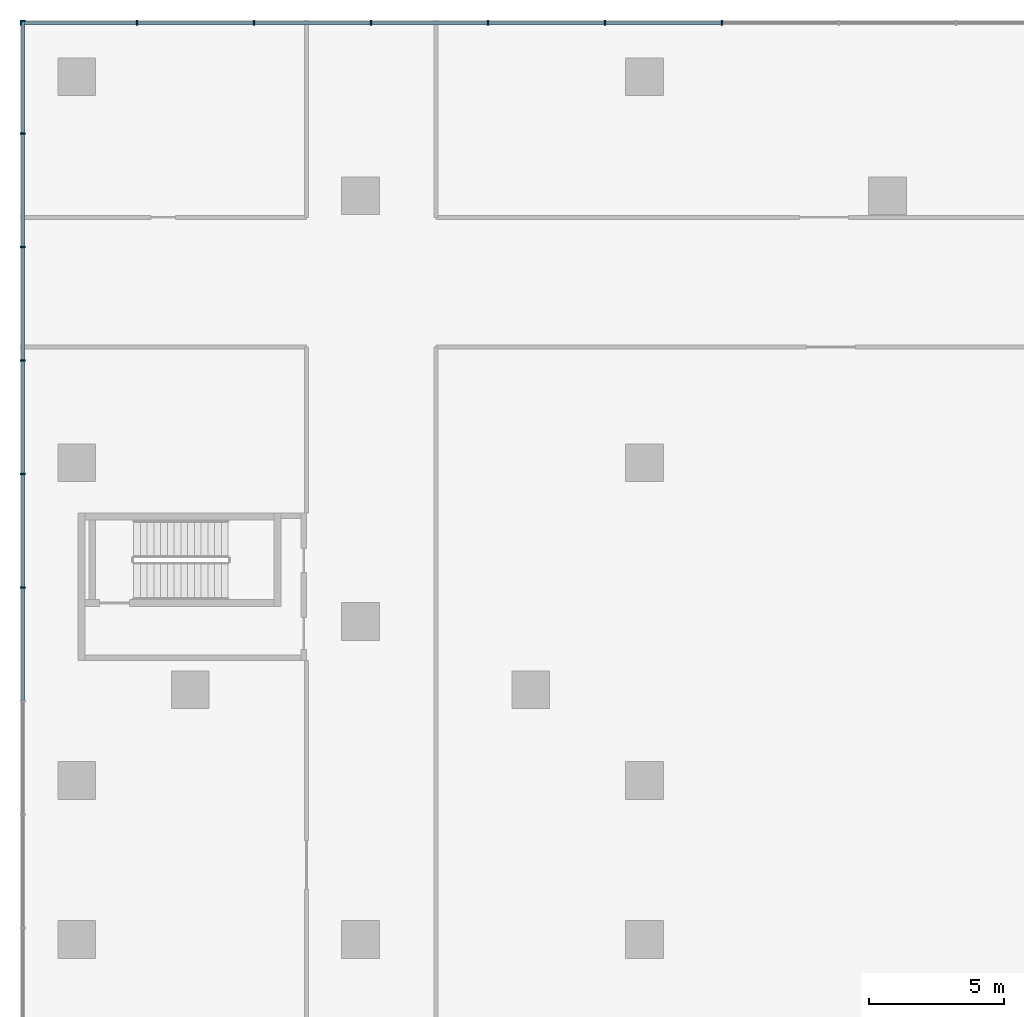
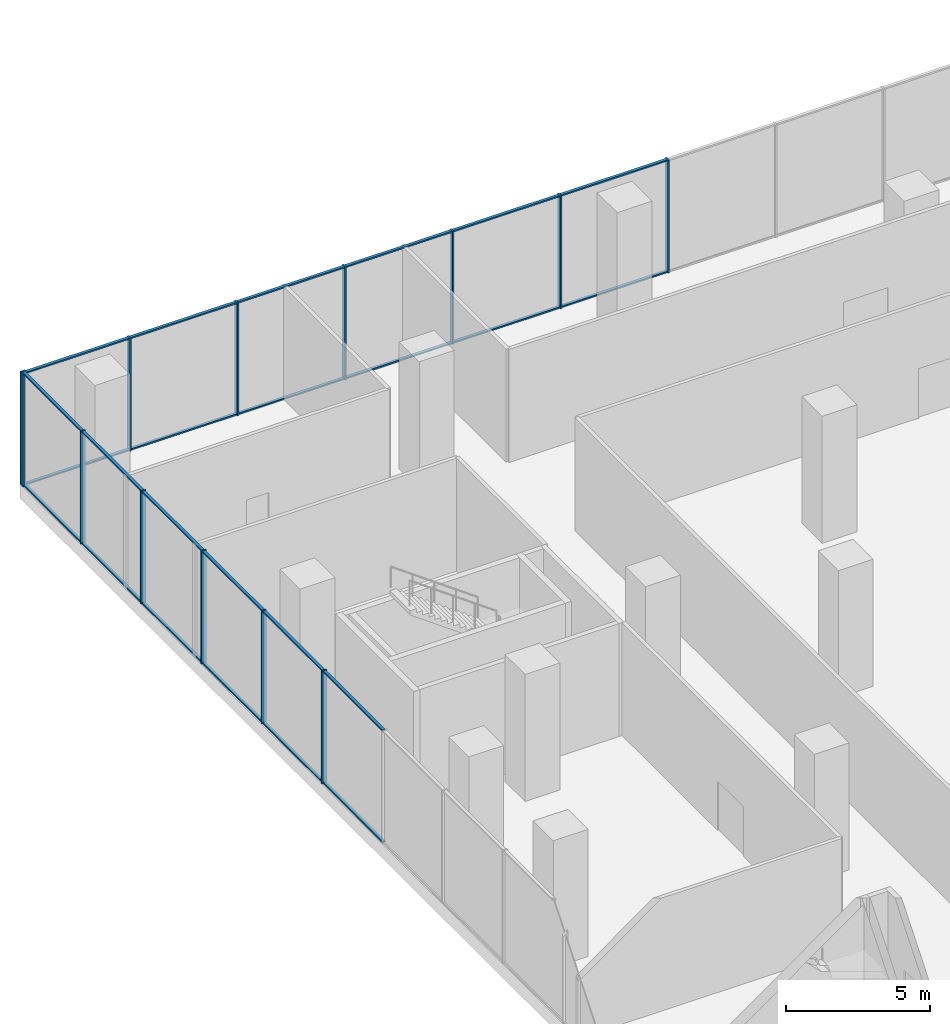
# One storey, part 9 of 22: 37 members, 2 elements without a shape of their own.
"""IFC4 building model written with IfcOpenShell, lengths in metres."""

import ifcopenshell
import ifcopenshell.guid

model = None  # the IFC model being written
_history = None  # IfcOwnerHistory: only IFC2X3 demands one
_inside = {}  # id of a spatial element -> (the spatial element, [elements in it])
_under = {}  # id of a project, library or spatial element -> (it, [spatial elements below it])
_declared = {}  # id of a project -> (the project, [libraries it declares])
_typed = {}  # id of a type object -> (the type object, [elements of that type])
_made_of = {}  # id of a material, layer set ... -> (it, [elements and type objects made of it])


def new_model(schema):
    """Start an empty IFC model of exactly this schema.

    Asked for "IFC4X3", IfcOpenShell would pick the latest addendum, in which some entities
    have other attributes; the version numbers below select the first issue.
    IFC2X3 requires an IfcOwnerHistory on every rooted entity: one is made here for all.
    """
    global model, _history
    if schema == "IFC4X3":
        model = ifcopenshell.file(schema_version=(4, 3, 0, 0))
    else:
        model = ifcopenshell.file(schema=schema)
    _inside.clear()
    _under.clear()
    _declared.clear()
    _typed.clear()
    _made_of.clear()
    _history = None
    if model.schema == "IFC2X3":
        org = make("IfcOrganization", Name="unknown")
        user = make(
            "IfcPersonAndOrganization",
            ThePerson=make("IfcPerson", FamilyName="unknown"),
            TheOrganization=org,
        )
        app = make(
            "IfcApplication",
            ApplicationDeveloper=org,
            Version="unknown",
            ApplicationFullName="unknown",
            ApplicationIdentifier="unknown",
        )
        _history = make(
            "IfcOwnerHistory",
            OwningUser=user,
            OwningApplication=app,
            ChangeAction="ADDED",
            CreationDate=0,
        )
    return model


def make(cls, **values):
    """One entity of the class cls with the attributes given. An attribute that is None is left unset."""
    return model.create_entity(
        cls, **{name: value for name, value in values.items() if value is not None}
    )


def rooted(cls, **values):
    """An entity with a GlobalId (a new one), such as an element, a storey or a relation."""
    return make(cls, GlobalId=ifcopenshell.guid.new(), OwnerHistory=_history, **values)


def si_unit(unit_type, name, prefix=None):
    """IfcSIUnit, for example si_unit("LENGTHUNIT", "METRE", prefix="MILLI")."""
    return make("IfcSIUnit", UnitType=unit_type, Prefix=prefix, Name=name)


def assignment(units):
    """IfcUnitAssignment: the units of a project."""
    return None if units is None else make("IfcUnitAssignment", Units=units)


def point(xyz):
    """IfcCartesianPoint."""
    return None if xyz is None else make("IfcCartesianPoint", Coordinates=xyz)


def direction(xyz):
    """IfcDirection."""
    return None if xyz is None else make("IfcDirection", DirectionRatios=xyz)


def frame(location, z_axis=None, x_axis=None):
    """IfcAxis2Placement3D, a coordinate frame: its origin and axes. An axis left out is left unset."""
    return make(
        "IfcAxis2Placement3D",
        Location=point(location),
        Axis=direction(z_axis),
        RefDirection=direction(x_axis),
    )


def frame_2d(location, x_axis=None):
    """IfcAxis2Placement2D, a coordinate frame in the plane: its origin and x axis."""
    return make(
        "IfcAxis2Placement2D", Location=point(location), RefDirection=direction(x_axis)
    )


def origin():
    """The frame at (0, 0, 0) with its axes left unset."""
    return frame((0.0, 0.0, 0.0))


def origin_2d():
    """The frame at (0, 0) in the plane with its x axis left unset."""
    return frame_2d((0.0, 0.0))


def place(relative_to, where):
    """IfcLocalPlacement: puts the frame where relative to a parent placement (None: the world)."""
    return make(
        "IfcLocalPlacement", PlacementRelTo=relative_to, RelativePlacement=where
    )


def context(
    kind, dimensions, precision=None, world=None, true_north=None, identifier=None
):
    """IfcGeometricRepresentationContext, for example the 3D "Model" context."""
    return make(
        "IfcGeometricRepresentationContext",
        ContextIdentifier=identifier,
        ContextType=kind,
        CoordinateSpaceDimension=dimensions,
        Precision=precision,
        WorldCoordinateSystem=world,
        TrueNorth=true_north,
    )


def subcontext(parent, identifier, kind, view, scale=None):
    """IfcGeometricRepresentationSubContext, for example "Body" below "Model"."""
    return make(
        "IfcGeometricRepresentationSubContext",
        ContextIdentifier=identifier,
        ContextType=kind,
        ParentContext=parent,
        TargetScale=scale,
        TargetView=view,
    )


def project(units=None, contexts=None):
    """IfcProject with its units and contexts."""
    return rooted(
        "IfcProject",
        Name="project",
        RepresentationContexts=contexts,
        UnitsInContext=assignment(units),
    )


def spatial(cls, under=None, at=None, **own):
    """A site, building, storey or space (cls), placed at a placement, below another one or the project."""
    s = rooted(cls, ObjectPlacement=at, **own)
    if under is not None:
        _under.setdefault(under.id(), (under, []))[1].append(s)
    return s


def profile(cls, at=None, kind="AREA", **sizes):
    """A parametric profile (cls). Its sizes go by their IFC names, for example OverallWidth=200.0."""
    return make(cls, ProfileType=kind, Position=at, **sizes)


def rectangle(**sizes):
    """IfcRectangleProfileDef."""
    return profile("IfcRectangleProfileDef", **sizes)


def extrude(swept, where, along, depth):
    """IfcExtrudedAreaSolid: the profile swept, set in the frame where, extruded along a direction by depth."""
    return make(
        "IfcExtrudedAreaSolid",
        SweptArea=swept,
        Position=where,
        ExtrudedDirection=direction(along),
        Depth=depth,
    )


def shape(context_of_items, identifier, shape_type, items):
    """IfcShapeRepresentation: the items that make up one representation, for example the "Body"."""
    return make(
        "IfcShapeRepresentation",
        ContextOfItems=context_of_items,
        RepresentationIdentifier=identifier,
        RepresentationType=shape_type,
        Items=items,
    )


def source(mapping_origin, context_of_items, identifier, shape_type, items):
    """IfcRepresentationMap: a shape defined once, which mapped items show again and again."""
    return make(
        "IfcRepresentationMap",
        MappingOrigin=mapping_origin,
        MappedRepresentation=shape(context_of_items, identifier, shape_type, items),
    )


def transform(
    local_origin,
    x_axis=None,
    y_axis=None,
    z_axis=None,
    scale=None,
    scale2=None,
    scale3=None,
    uniform=True,
):
    """IfcCartesianTransformationOperator3D, or its non-uniform kind. x_axis, y_axis, z_axis: its Axis1, 2, 3."""
    if uniform:
        return make(
            "IfcCartesianTransformationOperator3D",
            Axis1=direction(x_axis),
            Axis2=direction(y_axis),
            LocalOrigin=point(local_origin),
            Scale=scale,
            Axis3=direction(z_axis),
        )
    return make(
        "IfcCartesianTransformationOperator3DnonUniform",
        Axis1=direction(x_axis),
        Axis2=direction(y_axis),
        LocalOrigin=point(local_origin),
        Scale=scale,
        Axis3=direction(z_axis),
        Scale2=scale2,
        Scale3=scale3,
    )


def mapped(mapping_source, mapping_target):
    """IfcMappedItem: shows the shape of a source again, moved by a transform."""
    return make(
        "IfcMappedItem", MappingSource=mapping_source, MappingTarget=mapping_target
    )


def material(Name=None, Category=None):
    """IfcMaterial."""
    return make("IfcMaterial", Name=Name, Category=Category)


def layer(
    of_material, thickness, ventilated=None, Name=None, Category=None, Priority=None
):
    """IfcMaterialLayer: one layer of a wall or slab, of a material (None: an air gap)."""
    return make(
        "IfcMaterialLayer",
        Material=of_material,
        LayerThickness=thickness,
        IsVentilated=ventilated,
        Name=Name,
        Category=Category,
        Priority=Priority,
    )


def layer_set(layers, Name=None):
    """IfcMaterialLayerSet."""
    return make("IfcMaterialLayerSet", MaterialLayers=layers, LayerSetName=Name)


def material_profile(
    of_material, cross_section, Name=None, Category=None, Priority=None
):
    """IfcMaterialProfile: a cross section and its material."""
    return make(
        "IfcMaterialProfile",
        Name=Name,
        Material=of_material,
        Profile=cross_section,
        Priority=Priority,
        Category=Category,
    )


def profile_set(profiles, Name=None, composite=None):
    """IfcMaterialProfileSet."""
    return make(
        "IfcMaterialProfileSet",
        Name=Name,
        MaterialProfiles=profiles,
        CompositeProfile=composite,
    )


def made_of(thing, what):
    """Note that an element or type object is made of a material, layer set ...; save() writes the relation."""
    if what is not None:
        _made_of.setdefault(what.id(), (what, []))[1].append(thing)
    return thing


def type_object(cls, material=None, **own):
    """A type object (cls), such as IfcWallType, which elements share."""
    return made_of(rooted(cls, **own), material)


def element(
    cls,
    number,
    at=None,
    inside=None,
    cuts=None,
    type_object=None,
    material=None,
    context=None,
    identifier="Body",
    shape_type=None,
    held_by="IfcProductDefinitionShape",
    body=None,
    shapes=None,
    **own,
):
    """One element of the class cls, such as IfcWall. Its Tag is "e" and its number.

    at: its placement. inside: the storey or other place that contains it. cuts: it is an
    opening in that element (IfcRelVoidsElement). A single representation is given by context,
    identifier, shape_type and body (its items); several are given by shapes. held_by: the class
    of the entity that holds the representations. save() writes the other relations.
    """
    e = rooted(cls, Tag="e%d" % number, ObjectPlacement=at, **own)
    if body is not None:
        shapes = [shape(context, identifier, shape_type, body)]
    if shapes is not None:
        e.Representation = make(held_by, Representations=shapes)
    if inside is not None:
        _inside.setdefault(inside.id(), (inside, []))[1].append(e)
    if cuts is not None:
        rooted(
            "IfcRelVoidsElement", RelatingBuildingElement=cuts, RelatedOpeningElement=e
        )
    if type_object is not None:
        _typed.setdefault(type_object.id(), (type_object, []))[1].append(e)
    return made_of(e, material)


def aggregate(whole, parts):
    """IfcRelAggregates: a whole, such as a stair, and the parts it consists of."""
    return rooted("IfcRelAggregates", RelatingObject=whole, RelatedObjects=parts)


def save(model, path):
    """Write the relations noted so far, then the file.

    IfcRelAggregates (storeys below a building ...), IfcRelContainedInSpatialStructure (elements
    in a storey), IfcRelDefinesByType, IfcRelAssociatesMaterial and IfcRelDeclares: one each for
    every whole, place, type object, material and project.
    """
    for whole, parts in _under.values():
        aggregate(whole, parts)
    for where, things in _inside.values():
        rooted(
            "IfcRelContainedInSpatialStructure",
            RelatedElements=things,
            RelatingStructure=where,
        )
    for kind, things in _typed.values():
        rooted("IfcRelDefinesByType", RelatedObjects=things, RelatingType=kind)
    for what, things in _made_of.values():
        rooted("IfcRelAssociatesMaterial", RelatedObjects=things, RelatingMaterial=what)
    for by, libraries in _declared.values():
        rooted("IfcRelDeclares", RelatingContext=by, RelatedDefinitions=libraries)
    model.write(path)


model = new_model("IFC4")

# Units and contexts
model_context = context("Model", 3, precision=1e-05, world=origin(), true_north=direction((0.0, 1.0)))
body_context = subcontext(model_context, "Body", "Model", "MODEL_VIEW")
ifc_project = project(units=[si_unit("LENGTHUNIT", "METRE"), si_unit("AREAUNIT", "SQUARE_METRE"), si_unit("VOLUMEUNIT", "CUBIC_METRE"), si_unit("PLANEANGLEUNIT", "RADIAN"), si_unit("MASSUNIT", "GRAM", prefix="KILO")], contexts=[model_context])

# Site, building, storey
site_placement = place(None, origin())
site = spatial("IfcSite", under=ifc_project, at=site_placement, CompositionType="ELEMENT")
building_placement = place(site_placement, origin())
building = spatial("IfcBuilding", under=site, at=building_placement, Name="Aurelian Terraces", CompositionType="ELEMENT")
storey_placement = place(building_placement, frame((0.0, 0.0, 7.5)))
storey = spatial("IfcBuildingStorey", under=building, at=storey_placement, Name="L01", CompositionType="ELEMENT", Elevation=7.5)

# Curtain wall, members
ifc_material_1 = material(Name="Anodised aluminium and clear glazing", Category="aluminium")
ifc_layer = layer(ifc_material_1, 0.2)
ifc_layer_set = layer_set([ifc_layer], Name="Podium shopfront curtain wall")
curtain_wall_type = type_object("IfcCurtainWallType", Name="Podium shopfront curtain wall", PredefinedType="NOTDEFINED", material=ifc_layer_set)
curtain_wall_1_placement = place(storey_placement, origin())
curtain_wall_1 = element("IfcCurtainWall", 1, at=curtain_wall_1_placement, inside=storey, type_object=curtain_wall_type, Name="Podium shopfront L01 F05.1", PredefinedType="NOTDEFINED")
ifc_material_2 = material(Name="Anodised aluminium", Category="aluminium")
ifc_material_profile_1 = material_profile(ifc_material_2, rectangle(XDim=0.2, YDim=0.06, at=origin_2d()))
ifc_profile_set_1 = profile_set([ifc_material_profile_1], Name="Anodised aluminium")
member_type_1 = type_object("IfcMemberType", Name="Podium shopfront mullion", PredefinedType="MULLION", material=ifc_profile_set_1)
shared_shape_1 = source(origin(), body_context, "Body", "SweptSolid", [
    extrude(rectangle(XDim=0.2, YDim=0.06, at=origin_2d()), origin(), (0.0, 0.0, 1.0), 4.8),
])
member_1_placement = place(storey_placement, frame((23.8754, 86.0, 0.0), z_axis=(0.0, 0.0, 1.0), x_axis=(0.0, -1.0, 0.0)))
member_1 = element("IfcMember", 2, at=member_1_placement, type_object=member_type_1, Name="CW1 mullion 8", PredefinedType="MULLION", context=body_context, shape_type="MappedRepresentation", body=[
    mapped(shared_shape_1, transform((0.0, 0.0, 0.0), scale=1.0)),
])
member_2_placement = place(storey_placement, frame((19.5462, 86.0, 0.0), z_axis=(0.0, 0.0, 1.0), x_axis=(0.0, -1.0, 0.0)))
member_2 = element("IfcMember", 3, at=member_2_placement, type_object=member_type_1, Name="CW1 mullion 9", PredefinedType="MULLION", context=body_context, shape_type="MappedRepresentation", body=[
    mapped(shared_shape_1, transform((0.0, 0.0, 0.0), scale=1.0)),
])
member_3_placement = place(storey_placement, frame((15.2169, 86.0, 0.0), z_axis=(0.0, 0.0, 1.0), x_axis=(0.0, -1.0, 0.0)))
member_3 = element("IfcMember", 4, at=member_3_placement, type_object=member_type_1, Name="CW1 mullion 10", PredefinedType="MULLION", context=body_context, shape_type="MappedRepresentation", body=[
    mapped(shared_shape_1, transform((0.0, 0.0, 0.0), scale=1.0)),
])
member_4_placement = place(storey_placement, frame((10.8877, 86.0, 0.0), z_axis=(0.0, 0.0, 1.0), x_axis=(0.0, -1.0, 0.0)))
member_4 = element("IfcMember", 5, at=member_4_placement, type_object=member_type_1, Name="CW1 mullion 11", PredefinedType="MULLION", context=body_context, shape_type="MappedRepresentation", body=[
    mapped(shared_shape_1, transform((0.0, 0.0, 0.0), scale=1.0)),
])
member_5_placement = place(storey_placement, frame((6.5585, 86.0, 0.0), z_axis=(0.0, 0.0, 1.0), x_axis=(0.0, -1.0, 0.0)))
member_5 = element("IfcMember", 6, at=member_5_placement, type_object=member_type_1, Name="CW1 mullion 12", PredefinedType="MULLION", context=body_context, shape_type="MappedRepresentation", body=[
    mapped(shared_shape_1, transform((0.0, 0.0, 0.0), scale=1.0)),
])
member_6_placement = place(storey_placement, frame((2.2292, 86.0, 0.0), z_axis=(0.0, 0.0, 1.0), x_axis=(0.0, -1.0, 0.0)))
member_6 = element("IfcMember", 7, at=member_6_placement, type_object=member_type_1, Name="CW1 mullion 13", PredefinedType="MULLION", context=body_context, shape_type="MappedRepresentation", body=[
    mapped(shared_shape_1, transform((0.0, 0.0, 0.0), scale=1.0)),
])
member_7_placement = place(storey_placement, frame((-2.07, 86.0, 0.0), z_axis=(0.0, 0.0, 1.0), x_axis=(0.0, -1.0, 0.0)))
member_7 = element("IfcMember", 8, at=member_7_placement, type_object=member_type_1, Name="CW1 mullion 14", PredefinedType="MULLION", context=body_context, shape_type="MappedRepresentation", body=[
    mapped(shared_shape_1, transform((0.0, 0.0, 0.0), scale=1.0)),
])

curtain_wall_2_placement = place(storey_placement, origin())
curtain_wall_2 = element("IfcCurtainWall", 9, at=curtain_wall_2_placement, inside=storey, type_object=curtain_wall_type, Name="Podium shopfront L01 F06.1", PredefinedType="NOTDEFINED")
member_8_placement = place(storey_placement, frame((-2.0, 86.07, 0.0), z_axis=(0.0, 0.0, 1.0), x_axis=(1.0, 0.0, 0.0)))
member_8 = element("IfcMember", 10, at=member_8_placement, type_object=member_type_1, Name="CW1 mullion 1", PredefinedType="MULLION", context=body_context, shape_type="MappedRepresentation", body=[
    mapped(shared_shape_1, transform((0.0, 0.0, 0.0), scale=1.0)),
])
member_9_placement = place(storey_placement, frame((-2.0, 81.9, 0.0), z_axis=(0.0, 0.0, 1.0), x_axis=(1.0, 0.0, 0.0)))
member_9 = element("IfcMember", 11, at=member_9_placement, type_object=member_type_1, Name="CW1 mullion 2", PredefinedType="MULLION", context=body_context, shape_type="MappedRepresentation", body=[
    mapped(shared_shape_1, transform((0.0, 0.0, 0.0), scale=1.0)),
])
member_10_placement = place(storey_placement, frame((-2.0, 77.7, 0.0), z_axis=(0.0, 0.0, 1.0), x_axis=(1.0, 0.0, 0.0)))
member_10 = element("IfcMember", 12, at=member_10_placement, type_object=member_type_1, Name="CW1 mullion 3", PredefinedType="MULLION", context=body_context, shape_type="MappedRepresentation", body=[
    mapped(shared_shape_1, transform((0.0, 0.0, 0.0), scale=1.0)),
])
member_11_placement = place(storey_placement, frame((-2.0, 73.5, 0.0), z_axis=(0.0, 0.0, 1.0), x_axis=(1.0, 0.0, 0.0)))
member_11 = element("IfcMember", 13, at=member_11_placement, type_object=member_type_1, Name="CW1 mullion 4", PredefinedType="MULLION", context=body_context, shape_type="MappedRepresentation", body=[
    mapped(shared_shape_1, transform((0.0, 0.0, 0.0), scale=1.0)),
])
member_12_placement = place(storey_placement, frame((-2.0, 69.3, 0.0), z_axis=(0.0, 0.0, 1.0), x_axis=(1.0, 0.0, 0.0)))
member_12 = element("IfcMember", 14, at=member_12_placement, type_object=member_type_1, Name="CW1 mullion 5", PredefinedType="MULLION", context=body_context, shape_type="MappedRepresentation", body=[
    mapped(shared_shape_1, transform((0.0, 0.0, 0.0), scale=1.0)),
])
member_13_placement = place(storey_placement, frame((-2.0, 65.1, 0.0), z_axis=(0.0, 0.0, 1.0), x_axis=(1.0, 0.0, 0.0)))
member_13 = element("IfcMember", 15, at=member_13_placement, type_object=member_type_1, Name="CW1 mullion 6", PredefinedType="MULLION", context=body_context, shape_type="MappedRepresentation", body=[
    mapped(shared_shape_1, transform((0.0, 0.0, 0.0), scale=1.0)),
])
ifc_material_profile_2 = material_profile(ifc_material_2, rectangle(XDim=0.12, YDim=0.06, at=origin_2d()))
ifc_profile_set_2 = profile_set([ifc_material_profile_2], Name="Anodised aluminium")
member_type_2 = type_object("IfcMemberType", Name="Podium shopfront transom", PredefinedType="USERDEFINED", material=ifc_profile_set_2)
shared_shape_2 = source(origin(), body_context, "Body", "SweptSolid", [
    extrude(rectangle(XDim=0.12, YDim=0.06, at=origin_2d()), origin(), (0.0, 0.0, 1.0), 4.11),
])
member_14_placement = place(storey_placement, frame((-2.0, 86.04, 0.03), z_axis=(0.0, -1.0, 0.0), x_axis=(1.0, 0.0, 0.0)))
member_14 = element("IfcMember", 16, at=member_14_placement, type_object=member_type_2, Name="CW1 transom 1.1", ObjectType="TRANSOM", PredefinedType="USERDEFINED", context=body_context, shape_type="MappedRepresentation", body=[
    mapped(shared_shape_2, transform((0.0, 0.0, 0.0), scale=1.0)),
])
member_15_placement = place(storey_placement, frame((-2.0, 86.04, 4.77), z_axis=(0.0, -1.0, 0.0), x_axis=(1.0, 0.0, 0.0)))
member_15 = element("IfcMember", 17, at=member_15_placement, type_object=member_type_2, Name="CW1 transom 1.2", ObjectType="TRANSOM", PredefinedType="USERDEFINED", context=body_context, shape_type="MappedRepresentation", body=[
    mapped(shared_shape_2, transform((0.0, 0.0, 0.0), scale=1.0)),
])
shared_shape_3 = source(origin(), body_context, "Body", "SweptSolid", [
    extrude(rectangle(XDim=0.12, YDim=0.06, at=origin_2d()), origin(), (0.0, 0.0, 1.0), 4.14),
])
member_16_placement = place(storey_placement, frame((-2.0, 81.87, 0.03), z_axis=(0.0, -1.0, 0.0), x_axis=(1.0, 0.0, 0.0)))
member_16 = element("IfcMember", 18, at=member_16_placement, type_object=member_type_2, Name="CW1 transom 2.1", ObjectType="TRANSOM", PredefinedType="USERDEFINED", context=body_context, shape_type="MappedRepresentation", body=[
    mapped(shared_shape_3, transform((0.0, 0.0, 0.0), scale=1.0)),
])
member_17_placement = place(storey_placement, frame((-2.0, 81.87, 4.77), z_axis=(0.0, -1.0, 0.0), x_axis=(1.0, 0.0, 0.0)))
member_17 = element("IfcMember", 19, at=member_17_placement, type_object=member_type_2, Name="CW1 transom 2.2", ObjectType="TRANSOM", PredefinedType="USERDEFINED", context=body_context, shape_type="MappedRepresentation", body=[
    mapped(shared_shape_3, transform((0.0, 0.0, 0.0), scale=1.0)),
])
member_18_placement = place(storey_placement, frame((-2.0, 77.67, 0.03), z_axis=(0.0, -1.0, 0.0), x_axis=(1.0, 0.0, 0.0)))
member_18 = element("IfcMember", 20, at=member_18_placement, type_object=member_type_2, Name="CW1 transom 3.1", ObjectType="TRANSOM", PredefinedType="USERDEFINED", context=body_context, shape_type="MappedRepresentation", body=[
    mapped(shared_shape_3, transform((0.0, 0.0, 0.0), scale=1.0)),
])
member_19_placement = place(storey_placement, frame((-2.0, 77.67, 4.77), z_axis=(0.0, -1.0, 0.0), x_axis=(1.0, 0.0, 0.0)))
member_19 = element("IfcMember", 21, at=member_19_placement, type_object=member_type_2, Name="CW1 transom 3.2", ObjectType="TRANSOM", PredefinedType="USERDEFINED", context=body_context, shape_type="MappedRepresentation", body=[
    mapped(shared_shape_3, transform((0.0, 0.0, 0.0), scale=1.0)),
])
member_20_placement = place(storey_placement, frame((-2.0, 73.47, 0.03), z_axis=(0.0, -1.0, 0.0), x_axis=(1.0, 0.0, 0.0)))
member_20 = element("IfcMember", 22, at=member_20_placement, type_object=member_type_2, Name="CW1 transom 4.1", ObjectType="TRANSOM", PredefinedType="USERDEFINED", context=body_context, shape_type="MappedRepresentation", body=[
    mapped(shared_shape_3, transform((0.0, 0.0, 0.0), scale=1.0)),
])
member_21_placement = place(storey_placement, frame((-2.0, 73.47, 4.77), z_axis=(0.0, -1.0, 0.0), x_axis=(1.0, 0.0, 0.0)))
member_21 = element("IfcMember", 23, at=member_21_placement, type_object=member_type_2, Name="CW1 transom 4.2", ObjectType="TRANSOM", PredefinedType="USERDEFINED", context=body_context, shape_type="MappedRepresentation", body=[
    mapped(shared_shape_3, transform((0.0, 0.0, 0.0), scale=1.0)),
])
member_22_placement = place(storey_placement, frame((-2.0, 69.27, 0.03), z_axis=(0.0, -1.0, 0.0), x_axis=(1.0, 0.0, 0.0)))
member_22 = element("IfcMember", 24, at=member_22_placement, type_object=member_type_2, Name="CW1 transom 5.1", ObjectType="TRANSOM", PredefinedType="USERDEFINED", context=body_context, shape_type="MappedRepresentation", body=[
    mapped(shared_shape_3, transform((0.0, 0.0, 0.0), scale=1.0)),
])
member_23_placement = place(storey_placement, frame((-2.0, 69.27, 4.77), z_axis=(0.0, -1.0, 0.0), x_axis=(1.0, 0.0, 0.0)))
member_23 = element("IfcMember", 25, at=member_23_placement, type_object=member_type_2, Name="CW1 transom 5.2", ObjectType="TRANSOM", PredefinedType="USERDEFINED", context=body_context, shape_type="MappedRepresentation", body=[
    mapped(shared_shape_3, transform((0.0, 0.0, 0.0), scale=1.0)),
])
member_24_placement = place(storey_placement, frame((-2.0, 65.07, 0.03), z_axis=(0.0, -1.0, 0.0), x_axis=(1.0, 0.0, 0.0)))
member_24 = element("IfcMember", 26, at=member_24_placement, type_object=member_type_2, Name="CW1 transom 6.1", ObjectType="TRANSOM", PredefinedType="USERDEFINED", context=body_context, shape_type="MappedRepresentation", body=[
    mapped(shared_shape_3, transform((0.0, 0.0, 0.0), scale=1.0)),
])
member_25_placement = place(storey_placement, frame((-2.0, 65.07, 4.77), z_axis=(0.0, -1.0, 0.0), x_axis=(1.0, 0.0, 0.0)))
member_25 = element("IfcMember", 27, at=member_25_placement, type_object=member_type_2, Name="CW1 transom 6.2", ObjectType="TRANSOM", PredefinedType="USERDEFINED", context=body_context, shape_type="MappedRepresentation", body=[
    mapped(shared_shape_3, transform((0.0, 0.0, 0.0), scale=1.0)),
])
aggregate(curtain_wall_2, [member_8, member_9, member_10, member_11, member_12, member_13, member_14, member_15, member_16, member_17, member_18, member_19, member_20, member_21, member_22, member_23, member_24, member_25])

# Member
shared_shape_4 = source(origin(), body_context, "Body", "SweptSolid", [
    extrude(rectangle(XDim=0.12, YDim=0.06, at=origin_2d()), origin(), (0.0, 0.0, 1.0), 4.2392),
])
member_26_placement = place(storey_placement, frame((2.1992, 86.0, 0.03), z_axis=(-1.0, 0.0, 0.0), x_axis=(0.0, -1.0, 0.0)))
member_26 = element("IfcMember", 28, at=member_26_placement, type_object=member_type_2, Name="CW1 transom 13.1", ObjectType="TRANSOM", PredefinedType="USERDEFINED", context=body_context, shape_type="MappedRepresentation", body=[
    mapped(shared_shape_4, transform((0.0, 0.0, 0.0), scale=1.0)),
])

member_27_placement = place(storey_placement, frame((2.1992, 86.0, 4.77), z_axis=(-1.0, 0.0, 0.0), x_axis=(0.0, -1.0, 0.0)))
member_27 = element("IfcMember", 29, at=member_27_placement, type_object=member_type_2, Name="CW1 transom 13.2", ObjectType="TRANSOM", PredefinedType="USERDEFINED", context=body_context, shape_type="MappedRepresentation", body=[
    mapped(shared_shape_4, transform((0.0, 0.0, 0.0), scale=1.0)),
])

shared_shape_5 = source(origin(), body_context, "Body", "SweptSolid", [
    extrude(rectangle(XDim=0.12, YDim=0.06, at=origin_2d()), origin(), (0.0, 0.0, 1.0), 4.2693),
])
member_28_placement = place(storey_placement, frame((19.5162, 86.0, 0.03), z_axis=(-1.0, 0.0, 0.0), x_axis=(0.0, -1.0, 0.0)))
member_28 = element("IfcMember", 30, at=member_28_placement, type_object=member_type_2, Name="CW1 transom 9.1", ObjectType="TRANSOM", PredefinedType="USERDEFINED", context=body_context, shape_type="MappedRepresentation", body=[
    mapped(shared_shape_5, transform((0.0, 0.0, 0.0), scale=1.0)),
])

member_29_placement = place(storey_placement, frame((19.5162, 86.0, 4.77), z_axis=(-1.0, 0.0, 0.0), x_axis=(0.0, -1.0, 0.0)))
member_29 = element("IfcMember", 31, at=member_29_placement, type_object=member_type_2, Name="CW1 transom 9.2", ObjectType="TRANSOM", PredefinedType="USERDEFINED", context=body_context, shape_type="MappedRepresentation", body=[
    mapped(shared_shape_5, transform((0.0, 0.0, 0.0), scale=1.0)),
])

member_30_placement = place(storey_placement, frame((6.5285, 86.0, 0.03), z_axis=(-1.0, 0.0, 0.0), x_axis=(0.0, -1.0, 0.0)))
member_30 = element("IfcMember", 32, at=member_30_placement, type_object=member_type_2, Name="CW1 transom 12.1", ObjectType="TRANSOM", PredefinedType="USERDEFINED", context=body_context, shape_type="MappedRepresentation", body=[
    mapped(shared_shape_5, transform((0.0, 0.0, 0.0), scale=1.0)),
])

member_31_placement = place(storey_placement, frame((6.5285, 86.0, 4.77), z_axis=(-1.0, 0.0, 0.0), x_axis=(0.0, -1.0, 0.0)))
member_31 = element("IfcMember", 33, at=member_31_placement, type_object=member_type_2, Name="CW1 transom 12.2", ObjectType="TRANSOM", PredefinedType="USERDEFINED", context=body_context, shape_type="MappedRepresentation", body=[
    mapped(shared_shape_5, transform((0.0, 0.0, 0.0), scale=1.0)),
])

shared_shape_6 = source(origin(), body_context, "Body", "SweptSolid", [
    extrude(rectangle(XDim=0.12, YDim=0.06, at=origin_2d()), origin(), (0.0, 0.0, 1.0), 4.2692),
])
member_32_placement = place(storey_placement, frame((23.8454, 86.0, 0.03), z_axis=(-1.0, 0.0, 0.0), x_axis=(0.0, -1.0, 0.0)))
member_32 = element("IfcMember", 34, at=member_32_placement, type_object=member_type_2, Name="CW1 transom 8.1", ObjectType="TRANSOM", PredefinedType="USERDEFINED", context=body_context, shape_type="MappedRepresentation", body=[
    mapped(shared_shape_6, transform((0.0, 0.0, 0.0), scale=1.0)),
])

member_33_placement = place(storey_placement, frame((23.8454, 86.0, 4.77), z_axis=(-1.0, 0.0, 0.0), x_axis=(0.0, -1.0, 0.0)))
member_33 = element("IfcMember", 35, at=member_33_placement, type_object=member_type_2, Name="CW1 transom 8.2", ObjectType="TRANSOM", PredefinedType="USERDEFINED", context=body_context, shape_type="MappedRepresentation", body=[
    mapped(shared_shape_6, transform((0.0, 0.0, 0.0), scale=1.0)),
])

member_34_placement = place(storey_placement, frame((15.1869, 86.0, 0.03), z_axis=(-1.0, 0.0, 0.0), x_axis=(0.0, -1.0, 0.0)))
member_34 = element("IfcMember", 36, at=member_34_placement, type_object=member_type_2, Name="CW1 transom 10.1", ObjectType="TRANSOM", PredefinedType="USERDEFINED", context=body_context, shape_type="MappedRepresentation", body=[
    mapped(shared_shape_6, transform((0.0, 0.0, 0.0), scale=1.0)),
])

member_35_placement = place(storey_placement, frame((15.1869, 86.0, 4.77), z_axis=(-1.0, 0.0, 0.0), x_axis=(0.0, -1.0, 0.0)))
member_35 = element("IfcMember", 37, at=member_35_placement, type_object=member_type_2, Name="CW1 transom 10.2", ObjectType="TRANSOM", PredefinedType="USERDEFINED", context=body_context, shape_type="MappedRepresentation", body=[
    mapped(shared_shape_6, transform((0.0, 0.0, 0.0), scale=1.0)),
])

member_36_placement = place(storey_placement, frame((10.8577, 86.0, 0.03), z_axis=(-1.0, 0.0, 0.0), x_axis=(0.0, -1.0, 0.0)))
member_36 = element("IfcMember", 38, at=member_36_placement, type_object=member_type_2, Name="CW1 transom 11.1", ObjectType="TRANSOM", PredefinedType="USERDEFINED", context=body_context, shape_type="MappedRepresentation", body=[
    mapped(shared_shape_6, transform((0.0, 0.0, 0.0), scale=1.0)),
])

member_37_placement = place(storey_placement, frame((10.8577, 86.0, 4.77), z_axis=(-1.0, 0.0, 0.0), x_axis=(0.0, -1.0, 0.0)))
member_37 = element("IfcMember", 39, at=member_37_placement, type_object=member_type_2, Name="CW1 transom 11.2", ObjectType="TRANSOM", PredefinedType="USERDEFINED", context=body_context, shape_type="MappedRepresentation", body=[
    mapped(shared_shape_6, transform((0.0, 0.0, 0.0), scale=1.0)),
])

aggregate(curtain_wall_1, [member_1, member_2, member_3, member_4, member_5, member_6, member_7, member_32, member_33, member_28, member_29, member_34, member_35, member_36, member_37, member_30, member_31, member_26, member_27])

save(model, "model.ifc")
